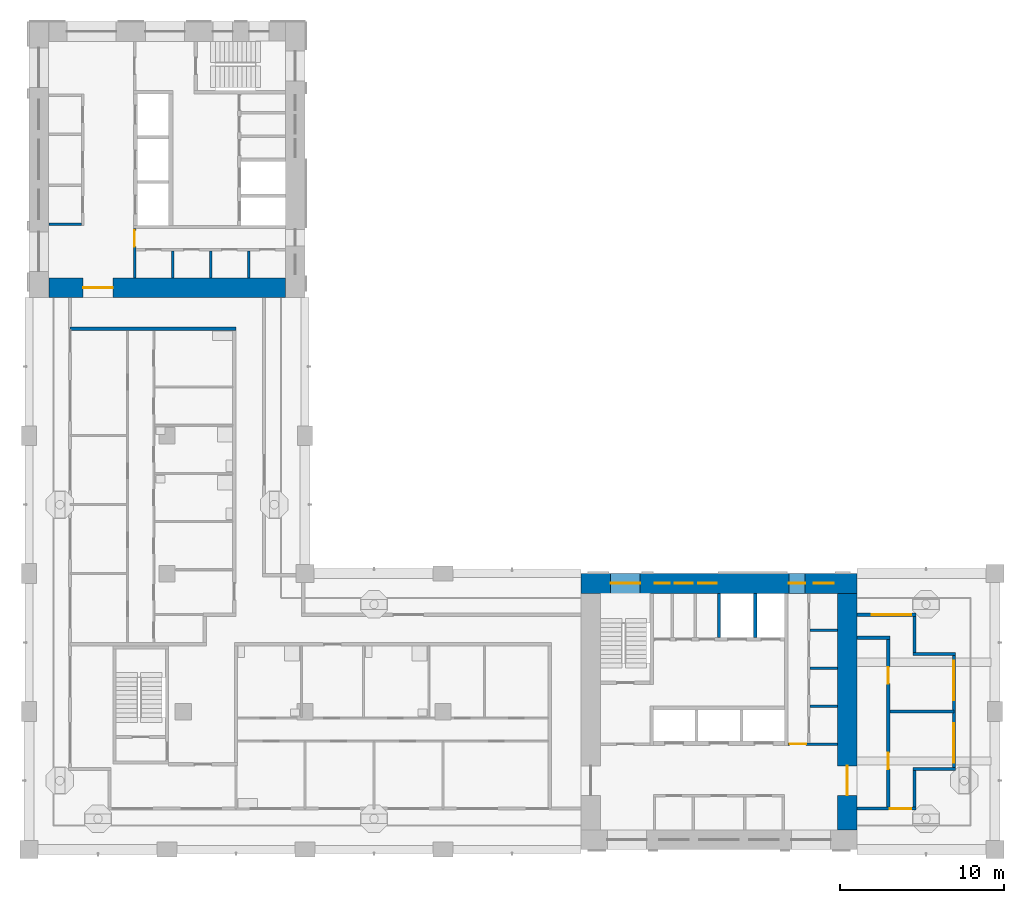
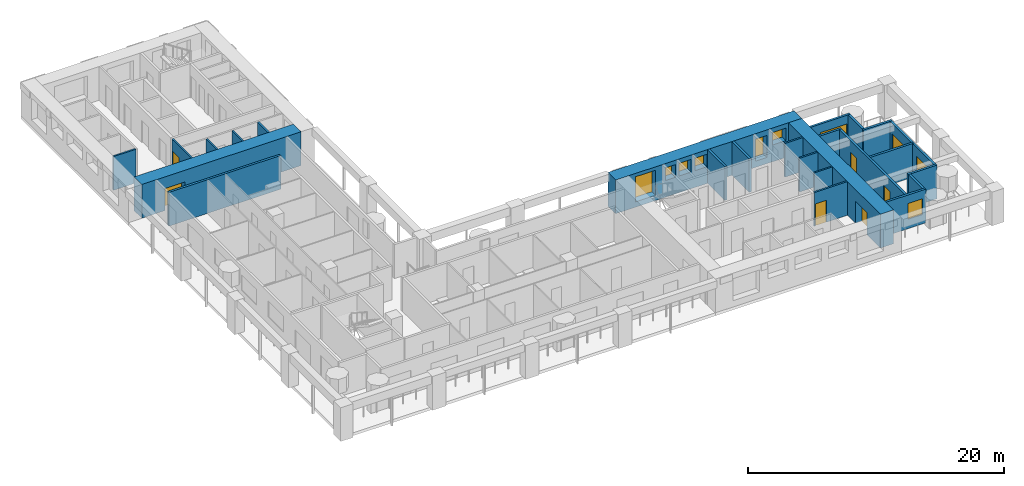
# One storey, part 5 of 13: 25 walls, 9 windows, 7 doors, 16 openings.
"""IFC4 building model written with IfcOpenShell, lengths in metres."""

from ifc_helpers import new_model, si_unit, direction, frame, frame_2d, origin, place, context, subcontext, project, spatial, rectangle, extrude, material, layer, layer_set, type_object, element, fill, save


model = new_model("IFC4")

# Units and contexts
model_context = context("Model", 3, precision=1e-05, world=origin(), true_north=direction((0.0, 1.0)))
body_context = subcontext(model_context, "Body", "Model", "MODEL_VIEW")
ifc_project = project(units=[si_unit("LENGTHUNIT", "METRE"), si_unit("AREAUNIT", "SQUARE_METRE"), si_unit("VOLUMEUNIT", "CUBIC_METRE"), si_unit("PLANEANGLEUNIT", "RADIAN"), si_unit("MASSUNIT", "GRAM", prefix="KILO")], contexts=[model_context])

# Site, building, storey
site_placement = place(None, origin())
site = spatial("IfcSite", under=ifc_project, at=site_placement, CompositionType="ELEMENT")
building_placement = place(site_placement, origin())
building = spatial("IfcBuilding", under=site, at=building_placement, Name="Vermilion Gate Residences", CompositionType="ELEMENT")
storey_placement = place(building_placement, frame((0.0, 0.0, 165.199951171875)))
storey = spatial("IfcBuildingStorey", under=building, at=storey_placement, Name="L42", CompositionType="ELEMENT", Elevation=165.199951171875)

# Wall, opening, door
ifc_material_1 = material(Name="Masonry blockwork", Category="masonry")
ifc_layer_1 = layer(ifc_material_1, 0.14990234375)
ifc_layer_set_1 = layer_set([ifc_layer_1], Name="BLOCKWORK PARTITION 150 EI 120")
wall_type_1 = type_object("IfcWallType", Name="BLOCKWORK PARTITION 150 EI 120", PredefinedType="PARTITIONING", material=ifc_layer_set_1)
wall_1_placement = place(storey_placement, frame((54.60009765625, 14.824951171875, 0.0), z_axis=(0.0, 0.0, 1.0), x_axis=(1.0, 0.0, 0.0)))
wall_1 = element("IfcWall", 1, at=wall_1_placement, inside=storey, type_object=wall_type_1, Name="Core room partition A42-ES-S", PredefinedType="PARTITIONING", context=body_context, shape_type="SweptSolid", body=[
    extrude(rectangle(XDim=3.0, YDim=0.14990234375, at=frame_2d((1.5, 0.0))), origin(), (0.0, 0.0, 1.0), 3.219970703125),
])
opening_1_placement = place(wall_1_placement, frame((0.10009765625, 0.0, 0.0)))
opening_1 = element("IfcOpeningElement", 2, at=opening_1_placement, cuts=wall_1, Name="Opening DK42016", PredefinedType="OPENING", context=body_context, shape_type="SweptSolid", body=[
    extrude(rectangle(XDim=1.0, YDim=2.10009765625, at=frame_2d((0.5, 1.050048828125))), frame((0.0, 0.0849609375, 0.0), z_axis=(0.0, -1.0, 0.0), x_axis=(1.0, 0.0, 0.0)), (0.0, 0.0, 1.0), 0.169921875),
])
ifc_material_2 = material(Name="Steel", Category="steel")
door_type_1 = type_object("IfcDoorType", Name="FIRE DOOR FD60 1000 X 2100", OperationType="SINGLE_SWING_LEFT", PredefinedType="DOOR", material=ifc_material_2)
door_1_placement = place(opening_1_placement, frame((1.0, 0.0, 0.0), z_axis=(0.0, 0.0, 1.0), x_axis=(-1.0, 0.0, 0.0)))
door_1 = element("IfcDoor", 3, at=door_1_placement, inside=storey, type_object=door_type_1, Name="Service corridor door A42", OperationType="SINGLE_SWING_LEFT", OverallHeight=2.10009765625, OverallWidth=1.0, PredefinedType="DOOR", context=body_context, shape_type="SweptSolid", body=[
    extrude(rectangle(XDim=1.0, YDim=2.10009765625, at=frame_2d((0.5, 1.050048828125))), frame((0.0, 0.02490234375, 0.0), z_axis=(0.0, -1.0, 0.0), x_axis=(1.0, 0.0, 0.0)), (0.0, 0.0, 1.0), 0.050048828125),
])
fill(opening_1, door_1)

# Walls
for number, where, z_axis, x_axis, name in (
    (4, (55.949951171875, 17.137451171875, 0.0), (0.0, 0.0, 1.0), (1.0, 0.0, 0.0), "Core room partition A42-ES-P0"),
    (5, (55.949951171875, 19.449951171875, 0.0), (0.0, 0.0, 1.0), (1.0, 0.0, 0.0), "Core room partition A42-ES-P1"),
    (6, (55.949951171875, 21.762451171875, 0.0), (0.0, 0.0, 1.0), (1.0, 0.0, 0.0), "Core room partition A42-ES-P2"),
):
    element("IfcWall", number, at=place(storey_placement, frame(where, z_axis=z_axis, x_axis=x_axis)), inside=storey, type_object=wall_type_1, Name=name, PredefinedType="PARTITIONING", context=body_context, shape_type="SweptSolid", body=[
        extrude(rectangle(XDim=1.650146484375, YDim=0.14990234375, at=frame_2d((0.8251953125, 0.0))), origin(), (0.0, 0.0, 1.0), 3.219970703125),
    ])
wall_2_placement = place(storey_placement, frame((9.60009765625, 46.47509765625, 0.0), z_axis=(0.0, 0.0, 1.0), x_axis=(1.0, 0.0, 0.0)))
element("IfcWall", 7, at=wall_2_placement, inside=storey, type_object=wall_type_1, Name="Core room partition B42-RW-E", PredefinedType="PARTITIONING", context=body_context, shape_type="SweptSolid", body=[
    extrude(rectangle(XDim=2.0, YDim=0.14990234375, at=frame_2d((1.0, 0.0))), origin(), (0.0, 0.0, 1.0), 3.219970703125),
])

# Wall, opening, door
wall_3_placement = place(storey_placement, frame((14.824951171875, 46.199951171875, 0.0), z_axis=(0.0, 0.0, 1.0), x_axis=(0.0, -1.0, 0.0)))
wall_3 = element("IfcWall", 8, at=wall_3_placement, inside=storey, type_object=wall_type_1, Name="Core room partition B42-ES-S", PredefinedType="PARTITIONING", context=body_context, shape_type="SweptSolid", body=[
    extrude(rectangle(XDim=3.0, YDim=0.14990234375, at=frame_2d((1.5, 0.0))), origin(), (0.0, 0.0, 1.0), 3.219970703125),
])
opening_2_placement = place(wall_3_placement, frame((0.10009765625, 0.0, 0.0)))
opening_2 = element("IfcOpeningElement", 9, at=opening_2_placement, cuts=wall_3, Name="Opening DK42115", PredefinedType="OPENING", context=body_context, shape_type="SweptSolid", body=[
    extrude(rectangle(XDim=1.0, YDim=2.10009765625, at=frame_2d((0.5, 1.050048828125))), frame((0.0, 0.0849609375, 0.0), z_axis=(0.0, -1.0, 0.0), x_axis=(1.0, 0.0, 0.0)), (0.0, 0.0, 1.0), 0.169921875),
])
door_2_placement = place(opening_2_placement, frame((1.0, 0.0, 0.0), z_axis=(0.0, 0.0, 1.0), x_axis=(-1.0, 0.0, 0.0)))
door_2 = element("IfcDoor", 10, at=door_2_placement, inside=storey, type_object=door_type_1, Name="Service corridor door B42", OperationType="SINGLE_SWING_LEFT", OverallHeight=2.10009765625, OverallWidth=1.0, PredefinedType="DOOR", context=body_context, shape_type="SweptSolid", body=[
    extrude(rectangle(XDim=1.0, YDim=2.10009765625, at=frame_2d((0.5, 1.050048828125))), frame((0.0, 0.02490234375, 0.0), z_axis=(0.0, -1.0, 0.0), x_axis=(1.0, 0.0, 0.0)), (0.0, 0.0, 1.0), 0.050048828125),
])
fill(opening_2, door_2)

# Walls
for number, where, z_axis, x_axis, name in (
    (11, (17.137451171875, 44.85009765625, 0.0), (0.0, 0.0, 1.0), (0.0, -1.0, 0.0), "Core room partition B42-ES-P0"),
    (12, (19.449951171875, 44.85009765625, 0.0), (0.0, 0.0, 1.0), (0.0, -1.0, 0.0), "Core room partition B42-ES-P1"),
    (13, (21.762451171875, 44.85009765625, 0.0), (0.0, 0.0, 1.0), (0.0, -1.0, 0.0), "Core room partition B42-ES-P2"),
):
    element("IfcWall", number, at=place(storey_placement, frame(where, z_axis=z_axis, x_axis=x_axis)), inside=storey, type_object=wall_type_1, Name=name, PredefinedType="PARTITIONING", context=body_context, shape_type="SweptSolid", body=[
        extrude(rectangle(XDim=1.650146484375, YDim=0.14990234375, at=frame_2d((0.8251953125, 0.0))), origin(), (0.0, 0.0, 1.0), 3.219970703125),
    ])

# Wall, opening, window
ifc_material_3 = material(Name="Insulated steel stud wall with terracotta rainscreen", Category="masonry")
ifc_layer_2 = layer(ifc_material_3, 0.199951171875)
ifc_layer_set_2 = layer_set([ifc_layer_2], Name="EXTERNAL WALL 200 TERRACOTTA RAINSCREEN")
wall_type_2 = type_object("IfcWallType", Name="EXTERNAL WALL 200 TERRACOTTA RAINSCREEN", PredefinedType="SOLIDWALL", material=ifc_layer_set_2)
wall_4_placement = place(storey_placement, frame((58.800048828125, 10.89990234375, 0.0), z_axis=(0.0, 0.0, 1.0), x_axis=(1.0, 0.0, 0.0)))
wall_4 = element("IfcWall", 14, at=wall_4_placement, inside=storey, type_object=wall_type_2, Name="External wall", PredefinedType="SOLIDWALL", context=body_context, shape_type="SweptSolid", body=[
    extrude(rectangle(XDim=3.599853515625, YDim=0.199951171875, at=frame_2d((1.7998046875, 0.0))), origin(), (0.0, 0.0, 1.0), 3.219970703125),
])
opening_3_placement = place(wall_4_placement, frame((2.0, 0.0, 0.89990234375)))
opening_3 = element("IfcOpeningElement", 15, at=opening_3_placement, cuts=wall_4, Name="Opening WE42015", PredefinedType="OPENING", context=body_context, shape_type="SweptSolid", body=[
    extrude(rectangle(XDim=1.300048828125, YDim=1.5, at=frame_2d((0.64990234375, 0.75))), frame((0.0, 0.10986328125, 0.0), z_axis=(0.0, -1.0, 0.0), x_axis=(1.0, 0.0, 0.0)), (0.0, 0.0, 1.0), 0.219970703125),
])
ifc_material_4 = material(Name="Aluminium and clear glass", Category="aluminium")
window_type_1 = type_object("IfcWindowType", Name="WINDOW 1300 X 1500", PartitioningType="SINGLE_PANEL", PredefinedType="WINDOW", material=ifc_material_4)
window_1_placement = place(opening_3_placement, origin())
window_1 = element("IfcWindow", 16, at=window_1_placement, inside=storey, type_object=window_type_1, Name="Window", OverallHeight=1.5, OverallWidth=1.300048828125, PartitioningType="SINGLE_PANEL", PredefinedType="WINDOW", context=body_context, shape_type="SweptSolid", body=[
    extrude(rectangle(XDim=1.300048828125, YDim=1.5, at=frame_2d((0.64990234375, 0.75))), frame((0.0, 0.030029296875, 0.0), z_axis=(0.0, -1.0, 0.0), x_axis=(1.0, 0.0, 0.0)), (0.0, 0.0, 1.0), 0.06005859375),
])
fill(opening_3, window_1)

# Walls
wall_5_placement = place(storey_placement, frame((62.300048828125, 11.0, 0.0), z_axis=(0.0, 0.0, 1.0), x_axis=(0.0, 1.0, 0.0)))
element("IfcWall", 17, at=wall_5_placement, inside=storey, type_object=wall_type_2, Name="External wall", PredefinedType="SOLIDWALL", context=body_context, shape_type="SweptSolid", body=[
    extrude(rectangle(XDim=2.199951171875, YDim=0.199951171875, at=frame_2d((1.10009765625, 0.0))), origin(), (0.0, 0.0, 1.0), 3.219970703125),
])
wall_6_placement = place(storey_placement, frame((62.199951171875, 13.300048828125, 0.0), z_axis=(0.0, 0.0, 1.0), x_axis=(1.0, 0.0, 0.0)))
element("IfcWall", 18, at=wall_6_placement, inside=storey, type_object=wall_type_2, Name="External wall", PredefinedType="SOLIDWALL", context=body_context, shape_type="SweptSolid", body=[
    extrude(rectangle(XDim=2.60009765625, YDim=0.199951171875, at=frame_2d((1.300048828125, 0.0))), origin(), (0.0, 0.0, 1.0), 3.219970703125),
])

# Wall, openings, door, window
wall_7_placement = place(storey_placement, frame((64.699951171875, 13.39990234375, 0.0), z_axis=(0.0, 0.0, 1.0), x_axis=(0.0, 1.0, 0.0)))
wall_7 = element("IfcWall", 19, at=wall_7_placement, inside=storey, type_object=wall_type_2, Name="External wall", PredefinedType="SOLIDWALL", context=body_context, shape_type="SweptSolid", body=[
    extrude(rectangle(XDim=6.800048828125, YDim=0.199951171875, at=frame_2d((3.39990234375, 0.0))), origin(), (0.0, 0.0, 1.0), 3.219970703125),
])
opening_4_placement = place(wall_7_placement, frame((0.300048828125, 0.0, 0.89990234375)))
opening_4 = element("IfcOpeningElement", 20, at=opening_4_placement, cuts=wall_7, Name="Opening WE42016", PredefinedType="OPENING", context=body_context, shape_type="SweptSolid", body=[
    extrude(rectangle(XDim=2.39990234375, YDim=1.5, at=frame_2d((1.199951171875, 0.75))), frame((0.0, 0.10986328125, 0.0), z_axis=(0.0, -1.0, 0.0), x_axis=(1.0, 0.0, 0.0)), (0.0, 0.0, 1.0), 0.219970703125),
])
opening_5_placement = place(wall_7_placement, frame((4.10009765625, 0.0, 0.0)))
opening_5 = element("IfcOpeningElement", 21, at=opening_5_placement, cuts=wall_7, Name="Opening DE42019", PredefinedType="OPENING", context=body_context, shape_type="SweptSolid", body=[
    extrude(rectangle(XDim=2.39990234375, YDim=2.199951171875, at=frame_2d((1.199951171875, 1.10009765625))), frame((0.0, 0.10986328125, 0.0), z_axis=(0.0, -1.0, 0.0), x_axis=(1.0, 0.0, 0.0)), (0.0, 0.0, 1.0), 0.219970703125),
])
ifc_material_5 = material(Name="Aluminium and clear glass", Category="aluminium")
door_type_2 = type_object("IfcDoorType", Name="SLIDING GLAZED DOOR 2400 X 2200", OperationType="DOUBLE_DOOR_SLIDING", PredefinedType="DOOR", material=ifc_material_5)
door_3_placement = place(opening_5_placement, origin())
door_3 = element("IfcDoor", 22, at=door_3_placement, inside=storey, type_object=door_type_2, Name="Loggia sliding door", OperationType="DOUBLE_DOOR_SLIDING", OverallHeight=2.199951171875, OverallWidth=2.39990234375, PredefinedType="DOOR", context=body_context, shape_type="SweptSolid", body=[
    extrude(rectangle(XDim=2.39990234375, YDim=2.199951171875, at=frame_2d((1.199951171875, 1.10009765625))), frame((0.0, 0.02490234375, 0.0), z_axis=(0.0, -1.0, 0.0), x_axis=(1.0, 0.0, 0.0)), (0.0, 0.0, 1.0), 0.050048828125),
])
fill(opening_5, door_3)
ifc_material_6 = material(Name="Aluminium and clear glass", Category="aluminium")
window_type_2 = type_object("IfcWindowType", Name="WINDOW 2400 X 1500", PartitioningType="SINGLE_PANEL", PredefinedType="WINDOW", material=ifc_material_6)
window_2_placement = place(opening_4_placement, origin())
window_2 = element("IfcWindow", 23, at=window_2_placement, inside=storey, type_object=window_type_2, Name="Window", OverallHeight=1.5, OverallWidth=2.39990234375, PartitioningType="SINGLE_PANEL", PredefinedType="WINDOW", context=body_context, shape_type="SweptSolid", body=[
    extrude(rectangle(XDim=2.39990234375, YDim=1.5, at=frame_2d((1.199951171875, 0.75))), frame((0.0, 0.030029296875, 0.0), z_axis=(0.0, -1.0, 0.0), x_axis=(1.0, 0.0, 0.0)), (0.0, 0.0, 1.0), 0.06005859375),
])
fill(opening_4, window_2)

# Walls
wall_8_placement = place(storey_placement, frame((64.800048828125, 20.300048828125, 0.0), z_axis=(0.0, 0.0, 1.0), x_axis=(-1.0, 0.0, 0.0)))
element("IfcWall", 24, at=wall_8_placement, inside=storey, type_object=wall_type_2, Name="External wall", PredefinedType="SOLIDWALL", context=body_context, shape_type="SweptSolid", body=[
    extrude(rectangle(XDim=2.60009765625, YDim=0.199951171875, at=frame_2d((1.300048828125, 0.0))), origin(), (0.0, 0.0, 1.0), 3.219970703125),
])
wall_9_placement = place(storey_placement, frame((62.300048828125, 20.39990234375, 0.0), z_axis=(0.0, 0.0, 1.0), x_axis=(0.0, 1.0, 0.0)))
element("IfcWall", 25, at=wall_9_placement, inside=storey, type_object=wall_type_2, Name="External wall", PredefinedType="SOLIDWALL", context=body_context, shape_type="SweptSolid", body=[
    extrude(rectangle(XDim=2.2001953125, YDim=0.199951171875, at=frame_2d((1.10009765625, 0.0))), origin(), (0.0, 0.0, 1.0), 3.219970703125),
])

# Wall, opening, window
wall_10_placement = place(storey_placement, frame((62.39990234375, 22.699951171875, 0.0), z_axis=(0.0, 0.0, 1.0), x_axis=(-1.0, 0.0, 0.0)))
wall_10 = element("IfcWall", 26, at=wall_10_placement, inside=storey, type_object=wall_type_2, Name="External wall", PredefinedType="SOLIDWALL", context=body_context, shape_type="SweptSolid", body=[
    extrude(rectangle(XDim=3.599853515625, YDim=0.199951171875, at=frame_2d((1.7998046875, 0.0))), origin(), (0.0, 0.0, 1.0), 3.219970703125),
])
opening_6_placement = place(wall_10_placement, frame((0.300048828125, 0.0, 0.89990234375)))
opening_6 = element("IfcOpeningElement", 27, at=opening_6_placement, cuts=wall_10, Name="Opening WE42018", PredefinedType="OPENING", context=body_context, shape_type="SweptSolid", body=[
    extrude(rectangle(XDim=2.39990234375, YDim=1.5, at=frame_2d((1.199951171875, 0.75))), frame((0.0, 0.10986328125, 0.0), z_axis=(0.0, -1.0, 0.0), x_axis=(1.0, 0.0, 0.0)), (0.0, 0.0, 1.0), 0.219970703125),
])
window_3_placement = place(opening_6_placement, origin())
window_3 = element("IfcWindow", 28, at=window_3_placement, inside=storey, type_object=window_type_2, Name="Window", OverallHeight=1.5, OverallWidth=2.39990234375, PartitioningType="SINGLE_PANEL", PredefinedType="WINDOW", context=body_context, shape_type="SweptSolid", body=[
    extrude(rectangle(XDim=2.39990234375, YDim=1.5, at=frame_2d((1.199951171875, 0.75))), frame((0.0, 0.030029296875, 0.0), z_axis=(0.0, -1.0, 0.0), x_axis=(1.0, 0.0, 0.0)), (0.0, 0.0, 1.0), 0.06005859375),
])
fill(opening_6, window_3)

# Walls
ifc_material_7 = material(Name="Fire-rated plasterboard on steel studs", Category="steel")
ifc_layer_3 = layer(ifc_material_7, 0.199951171875)
ifc_layer_set_3 = layer_set([ifc_layer_3], Name="PARTY WALL 200 EI 120")
wall_type_3 = type_object("IfcWallType", Name="PARTY WALL 200 EI 120", PredefinedType="PARTITIONING", material=ifc_layer_set_3)
wall_11_placement = place(storey_placement, frame((60.800048828125, 16.800048828125, 0.0), z_axis=(0.0, 0.0, 1.0), x_axis=(1.0, 0.0, 0.0)))
element("IfcWall", 29, at=wall_11_placement, inside=storey, type_object=wall_type_3, Name="Party and corridor wall", PredefinedType="PARTITIONING", context=body_context, shape_type="SweptSolid", body=[
    extrude(rectangle(XDim=3.89990234375, YDim=0.199951171875, at=frame_2d((1.949951171875, 0.0))), origin(), (0.0, 0.0, 1.0), 3.219970703125),
])
wall_12_placement = place(storey_placement, frame((58.800048828125, 21.300048828125, 0.0), z_axis=(0.0, 0.0, 1.0), x_axis=(1.0, 0.0, 0.0)))
element("IfcWall", 30, at=wall_12_placement, inside=storey, type_object=wall_type_3, Name="Party and corridor wall", PredefinedType="PARTITIONING", context=body_context, shape_type="SweptSolid", body=[
    extrude(rectangle(XDim=2.0, YDim=0.199951171875, at=frame_2d((1.0, 0.0))), origin(), (0.0, 0.0, 1.0), 3.219970703125),
])
wall_13_placement = place(storey_placement, frame((10.89990234375, 40.10009765625, 0.0), z_axis=(0.0, 0.0, 1.0), x_axis=(1.0, 0.0, 0.0)))
element("IfcWall", 31, at=wall_13_placement, inside=storey, type_object=wall_type_3, Name="Party and corridor wall", PredefinedType="PARTITIONING", context=body_context, shape_type="SweptSolid", body=[
    extrude(rectangle(XDim=10.10009765625, YDim=0.199951171875, at=frame_2d((5.050048828125, 0.0))), origin(), (0.0, 0.0, 1.0), 3.219970703125),
])

# Wall, openings, doors
wall_14_placement = place(storey_placement, frame((60.699951171875, 10.89990234375, 0.0), z_axis=(0.0, 0.0, 1.0), x_axis=(0.0, 1.0, 0.0)))
wall_14 = element("IfcWall", 32, at=wall_14_placement, inside=storey, type_object=wall_type_3, Name="Party and corridor wall", PredefinedType="PARTITIONING", context=body_context, shape_type="SweptSolid", body=[
    extrude(rectangle(XDim=10.300048828125, YDim=0.199951171875, at=frame_2d((5.14990234375, 0.0))), origin(), (0.0, 0.0, 1.0), 3.219970703125),
])
opening_7_placement = place(wall_14_placement, frame((2.39990234375, 0.0, 0.0)))
opening_7 = element("IfcOpeningElement", 33, at=opening_7_placement, cuts=wall_14, Name="Opening DA40024", PredefinedType="OPENING", context=body_context, shape_type="SweptSolid", body=[
    extrude(rectangle(XDim=1.0, YDim=2.10009765625, at=frame_2d((0.5, 1.050048828125))), frame((0.0, 0.10986328125, 0.0), z_axis=(0.0, -1.0, 0.0), x_axis=(1.0, 0.0, 0.0)), (0.0, 0.0, 1.0), 0.219970703125),
])
opening_8_placement = place(wall_14_placement, frame((7.60009765625, 0.0, 0.0)))
opening_8 = element("IfcOpeningElement", 34, at=opening_8_placement, cuts=wall_14, Name="Opening DA40025", PredefinedType="OPENING", context=body_context, shape_type="SweptSolid", body=[
    extrude(rectangle(XDim=1.0, YDim=2.10009765625, at=frame_2d((0.5, 1.050048828125))), frame((0.0, 0.10986328125, 0.0), z_axis=(0.0, -1.0, 0.0), x_axis=(1.0, 0.0, 0.0)), (0.0, 0.0, 1.0), 0.219970703125),
])
ifc_material_8 = material(Name="Steel", Category="steel")
door_type_3 = type_object("IfcDoorType", Name="ENTRANCE DOOR 1000 X 2100 FD30", OperationType="SINGLE_SWING_LEFT", PredefinedType="DOOR", material=ifc_material_8)
door_4_placement = place(opening_7_placement, frame((1.0, 0.0, 0.0), z_axis=(0.0, 0.0, 1.0), x_axis=(-1.0, 0.0, 0.0)))
door_4 = element("IfcDoor", 35, at=door_4_placement, inside=storey, type_object=door_type_3, Name="Entrance door", OperationType="SINGLE_SWING_RIGHT", OverallHeight=2.10009765625, OverallWidth=1.0, PredefinedType="DOOR", context=body_context, shape_type="SweptSolid", body=[
    extrude(rectangle(XDim=1.0, YDim=2.10009765625, at=frame_2d((0.5, 1.050048828125))), frame((0.0, 0.02490234375, 0.0), z_axis=(0.0, -1.0, 0.0), x_axis=(1.0, 0.0, 0.0)), (0.0, 0.0, 1.0), 0.050048828125),
])
fill(opening_7, door_4)
door_5_placement = place(opening_8_placement, frame((1.0, 0.0, 0.0), z_axis=(0.0, 0.0, 1.0), x_axis=(-1.0, 0.0, 0.0)))
door_5 = element("IfcDoor", 36, at=door_5_placement, inside=storey, type_object=door_type_3, Name="Entrance door", OperationType="SINGLE_SWING_RIGHT", OverallHeight=2.10009765625, OverallWidth=1.0, PredefinedType="DOOR", context=body_context, shape_type="SweptSolid", body=[
    extrude(rectangle(XDim=1.0, YDim=2.10009765625, at=frame_2d((0.5, 1.050048828125))), frame((0.0, 0.02490234375, 0.0), z_axis=(0.0, -1.0, 0.0), x_axis=(1.0, 0.0, 0.0)), (0.0, 0.0, 1.0), 0.050048828125),
])
fill(opening_8, door_5)

# Walls
ifc_material_9 = material(Name="Concrete C60", Category="concrete")
ifc_layer_4 = layer(ifc_material_9, 0.199951171875)
ifc_layer_set_4 = layer_set([ifc_layer_4], Name="RC CORE INTERNAL WALL 200 C60")
wall_type_4 = type_object("IfcWallType", Name="RC CORE INTERNAL WALL 200 C60", PredefinedType="SHEAR", material=ifc_layer_set_4)
for number, where, z_axis, x_axis, name in (
    (37, (50.39990234375, 21.300048828125, 0.0), (0.0, 0.0, 1.0), (0.0, 1.0, 0.0), "Core internal wall A42-FF-D0"),
    (38, (52.60009765625, 21.300048828125, 0.0), (0.0, 0.0, 1.0), (0.0, 1.0, 0.0), "Core internal wall A42-FF-D1"),
):
    element("IfcWall", number, at=place(storey_placement, frame(where, z_axis=z_axis, x_axis=x_axis)), inside=storey, type_object=wall_type_4, Name=name, PredefinedType="SHEAR", context=body_context, shape_type="SweptSolid", body=[
        extrude(rectangle(XDim=2.699951171875, YDim=0.199951171875, at=frame_2d((1.35009765625, 0.0))), origin(), (0.0, 0.0, 1.0), 3.219970703125),
    ])

# Wall, opening, door
ifc_material_10 = material(Name="Concrete C60", Category="concrete")
ifc_layer_5 = layer(ifc_material_10, 1.199951171875)
ifc_layer_set_5 = layer_set([ifc_layer_5], Name="RC CORE WALL 1200 C60")
wall_type_5 = type_object("IfcWallType", Name="RC CORE WALL 1200 C60", PredefinedType="SHEAR", material=ifc_layer_set_5)
wall_15_placement = place(storey_placement, frame((58.199951171875, 9.60009765625, 0.0), z_axis=(0.0, 0.0, 1.0), x_axis=(0.0, 1.0, 0.0)))
wall_15 = element("IfcWall", 39, at=wall_15_placement, inside=storey, type_object=wall_type_5, Name="Core wall A42-OUT-BK", PredefinedType="SHEAR", context=body_context, shape_type="SweptSolid", body=[
    extrude(rectangle(XDim=14.39990234375, YDim=1.199951171875, at=frame_2d((7.199951171875, 0.0))), origin(), (0.0, 0.0, 1.0), 3.219970703125),
])
opening_9_placement = place(wall_15_placement, frame((2.10009765625, 0.0, 0.0)))
opening_9 = element("IfcOpeningElement", 40, at=opening_9_placement, cuts=wall_15, Name="Opening DK42002", PredefinedType="OPENING", context=body_context, shape_type="SweptSolid", body=[
    extrude(rectangle(XDim=1.800048828125, YDim=2.10009765625, at=frame_2d((0.89990234375, 1.050048828125))), frame((0.0, 0.60986328125, 0.0), z_axis=(0.0, -1.0, 0.0), x_axis=(1.0, 0.0, 0.0)), (0.0, 0.0, 1.0), 1.219970703125),
])
ifc_material_11 = material(Name="Steel", Category="steel")
door_type_4 = type_object("IfcDoorType", Name="CORE LOBBY DOOR FD60 1800 X 2100", OperationType="DOUBLE_DOOR_SINGLE_SWING", PredefinedType="DOOR", material=ifc_material_11)
door_6_placement = place(opening_9_placement, origin())
door_6 = element("IfcDoor", 41, at=door_6_placement, inside=storey, type_object=door_type_4, Name="Core lobby door A42", OperationType="DOUBLE_DOOR_SINGLE_SWING", OverallHeight=2.10009765625, OverallWidth=1.800048828125, PredefinedType="DOOR", context=body_context, shape_type="SweptSolid", body=[
    extrude(rectangle(XDim=1.800048828125, YDim=2.10009765625, at=frame_2d((0.89990234375, 1.050048828125))), frame((0.0, 0.02490234375, 0.0), z_axis=(0.0, -1.0, 0.0), x_axis=(1.0, 0.0, 0.0)), (0.0, 0.0, 1.0), 0.050048828125),
])
fill(opening_9, door_6)

wall_16_placement = place(storey_placement, frame((9.60009765625, 42.60009765625, 0.0), z_axis=(0.0, 0.0, 1.0), x_axis=(1.0, 0.0, 0.0)))
wall_16 = element("IfcWall", 42, at=wall_16_placement, inside=storey, type_object=wall_type_5, Name="Core wall B42-OUT-BK", PredefinedType="SHEAR", context=body_context, shape_type="SweptSolid", body=[
    extrude(rectangle(XDim=14.39990234375, YDim=1.199951171875, at=frame_2d((7.199951171875, 0.0))), origin(), (0.0, 0.0, 1.0), 3.219970703125),
])
opening_10_placement = place(wall_16_placement, frame((2.10009765625, 0.0, 0.0)))
opening_10 = element("IfcOpeningElement", 43, at=opening_10_placement, cuts=wall_16, Name="Opening DK42101", PredefinedType="OPENING", context=body_context, shape_type="SweptSolid", body=[
    extrude(rectangle(XDim=1.800048828125, YDim=2.10009765625, at=frame_2d((0.89990234375, 1.050048828125))), frame((0.0, 0.60986328125, 0.0), z_axis=(0.0, -1.0, 0.0), x_axis=(1.0, 0.0, 0.0)), (0.0, 0.0, 1.0), 1.219970703125),
])
door_7_placement = place(opening_10_placement, frame((1.800048828125, 0.0, 0.0), z_axis=(0.0, 0.0, 1.0), x_axis=(-1.0, 0.0, 0.0)))
door_7 = element("IfcDoor", 44, at=door_7_placement, inside=storey, type_object=door_type_4, Name="Core lobby door B42", OperationType="DOUBLE_DOOR_SINGLE_SWING", OverallHeight=2.10009765625, OverallWidth=1.800048828125, PredefinedType="DOOR", context=body_context, shape_type="SweptSolid", body=[
    extrude(rectangle(XDim=1.800048828125, YDim=2.10009765625, at=frame_2d((0.89990234375, 1.050048828125))), frame((0.0, 0.02490234375, 0.0), z_axis=(0.0, -1.0, 0.0), x_axis=(1.0, 0.0, 0.0)), (0.0, 0.0, 1.0), 0.050048828125),
])
fill(opening_10, door_7)

# Wall, openings, windows
ifc_material_12 = material(Name="Concrete C60 red-oxide pigmented", Category="concrete")
ifc_layer_6 = layer(ifc_material_12, 1.199951171875)
ifc_layer_set_6 = layer_set([ifc_layer_6], Name="RC CORE WALL 1200 C60 RED OXIDE")
wall_type_6 = type_object("IfcWallType", Name="RC CORE WALL 1200 C60 RED OXIDE", PredefinedType="SHEAR", material=ifc_layer_set_6)
wall_17_placement = place(storey_placement, frame((42.0, 24.60009765625, 0.0), z_axis=(0.0, 0.0, 1.0), x_axis=(1.0, 0.0, 0.0)))
wall_17 = element("IfcWall", 45, at=wall_17_placement, inside=storey, type_object=wall_type_6, Name="Core wall A42-OUT-B1", PredefinedType="SHEAR", context=body_context, shape_type="SweptSolid", body=[
    extrude(rectangle(XDim=16.800048828125, YDim=1.199951171875, at=frame_2d((8.39990234375, 0.0))), origin(), (0.0, 0.0, 1.0), 3.219970703125),
])
opening_11_placement = place(wall_17_placement, frame((1.800048828125, 0.0, 0.5)))
opening_11 = element("IfcOpeningElement", 46, at=opening_11_placement, cuts=wall_17, Name="Opening WKA4206", PredefinedType="OPENING", context=body_context, shape_type="SweptSolid", body=[
    extrude(rectangle(XDim=1.800048828125, YDim=2.39990234375, at=frame_2d((0.89990234375, 1.199951171875))), frame((0.0, 0.60986328125, 0.0), z_axis=(0.0, -1.0, 0.0), x_axis=(1.0, 0.0, 0.0)), (0.0, 0.0, 1.0), 1.219970703125),
])
opening_12_placement = place(wall_17_placement, frame((4.489990234375, 0.0, 1.60009765625)))
opening_12 = element("IfcOpeningElement", 47, at=opening_12_placement, cuts=wall_17, Name="Opening WKA4207", PredefinedType="OPENING", context=body_context, shape_type="SweptSolid", body=[
    extrude(rectangle(XDim=0.89990234375, YDim=1.199951171875, at=frame_2d((0.449951171875, 0.60009765625))), frame((0.0, 0.60986328125, 0.0), z_axis=(0.0, -1.0, 0.0), x_axis=(1.0, 0.0, 0.0)), (0.0, 0.0, 1.0), 1.219970703125),
])
opening_13_placement = place(wall_17_placement, frame((5.7099609375, 0.0, 1.60009765625)))
opening_13 = element("IfcOpeningElement", 48, at=opening_13_placement, cuts=wall_17, Name="Opening WKA4208", PredefinedType="OPENING", context=body_context, shape_type="SweptSolid", body=[
    extrude(rectangle(XDim=1.10009765625, YDim=1.199951171875, at=frame_2d((0.550048828125, 0.60009765625))), frame((0.0, 0.60986328125, 0.0), z_axis=(0.0, -1.0, 0.0), x_axis=(1.0, 0.0, 0.0)), (0.0, 0.0, 1.0), 1.219970703125),
])
opening_14_placement = place(wall_17_placement, frame((7.14990234375, 0.0, 1.60009765625)))
opening_14 = element("IfcOpeningElement", 49, at=opening_14_placement, cuts=wall_17, Name="Opening WKA4209", PredefinedType="OPENING", context=body_context, shape_type="SweptSolid", body=[
    extrude(rectangle(XDim=1.10009765625, YDim=1.199951171875, at=frame_2d((0.550048828125, 0.60009765625))), frame((0.0, 0.60986328125, 0.0), z_axis=(0.0, -1.0, 0.0), x_axis=(1.0, 0.0, 0.0)), (0.0, 0.0, 1.0), 1.219970703125),
])
opening_15_placement = place(wall_17_placement, frame((12.64990234375, 0.0, 0.60009765625)))
opening_15 = element("IfcOpeningElement", 50, at=opening_15_placement, cuts=wall_17, Name="Opening WKA4210", PredefinedType="OPENING", context=body_context, shape_type="SweptSolid", body=[
    extrude(rectangle(XDim=1.0, YDim=2.10009765625, at=frame_2d((0.5, 1.050048828125))), frame((0.0, 0.60986328125, 0.0), z_axis=(0.0, -1.0, 0.0), x_axis=(1.0, 0.0, 0.0)), (0.0, 0.0, 1.0), 1.219970703125),
])
opening_16_placement = place(wall_17_placement, frame((14.175048828125, 0.0, 1.60009765625)))
opening_16 = element("IfcOpeningElement", 51, at=opening_16_placement, cuts=wall_17, Name="Opening WKA4211", PredefinedType="OPENING", context=body_context, shape_type="SweptSolid", body=[
    extrude(rectangle(XDim=1.199951171875, YDim=1.199951171875, at=frame_2d((0.60009765625, 0.60009765625))), frame((0.0, 0.60986328125, 0.0), z_axis=(0.0, -1.0, 0.0), x_axis=(1.0, 0.0, 0.0)), (0.0, 0.0, 1.0), 1.219970703125),
])
ifc_material_13 = material(Name="Aluminium and clear glass", Category="aluminium")
window_type_3 = type_object("IfcWindowType", Name="CORE CORRIDOR WINDOW 1000 X 2100", PartitioningType="SINGLE_PANEL", PredefinedType="WINDOW", material=ifc_material_13)
window_4_placement = place(opening_15_placement, origin())
window_4 = element("IfcWindow", 52, at=window_4_placement, inside=storey, type_object=window_type_3, Name="Core corridor window", OverallHeight=2.10009765625, OverallWidth=1.0, PartitioningType="SINGLE_PANEL", PredefinedType="WINDOW", context=body_context, shape_type="SweptSolid", body=[
    extrude(rectangle(XDim=1.0, YDim=2.10009765625, at=frame_2d((0.5, 1.050048828125))), frame((0.0, 0.030029296875, 0.0), z_axis=(0.0, -1.0, 0.0), x_axis=(1.0, 0.0, 0.0)), (0.0, 0.0, 1.0), 0.06005859375),
])
fill(opening_15, window_4)
ifc_material_14 = material(Name="Aluminium frame with louvre blades", Category="aluminium")
window_type_4 = type_object("IfcWindowType", Name="CORE LOUVRE 1100 X 1200", PartitioningType="SINGLE_PANEL", PredefinedType="WINDOW", material=ifc_material_14)
window_5_placement = place(opening_13_placement, origin())
window_5 = element("IfcWindow", 53, at=window_5_placement, inside=storey, type_object=window_type_4, Name="Core louvre", OverallHeight=1.199951171875, OverallWidth=1.10009765625, PartitioningType="SINGLE_PANEL", PredefinedType="WINDOW", context=body_context, shape_type="SweptSolid", body=[
    extrude(rectangle(XDim=1.10009765625, YDim=1.199951171875, at=frame_2d((0.550048828125, 0.60009765625))), frame((0.0, 0.030029296875, 0.0), z_axis=(0.0, -1.0, 0.0), x_axis=(1.0, 0.0, 0.0)), (0.0, 0.0, 1.0), 0.06005859375),
])
fill(opening_13, window_5)
window_6_placement = place(opening_14_placement, origin())
window_6 = element("IfcWindow", 54, at=window_6_placement, inside=storey, type_object=window_type_4, Name="Core louvre", OverallHeight=1.199951171875, OverallWidth=1.10009765625, PartitioningType="SINGLE_PANEL", PredefinedType="WINDOW", context=body_context, shape_type="SweptSolid", body=[
    extrude(rectangle(XDim=1.10009765625, YDim=1.199951171875, at=frame_2d((0.550048828125, 0.60009765625))), frame((0.0, 0.030029296875, 0.0), z_axis=(0.0, -1.0, 0.0), x_axis=(1.0, 0.0, 0.0)), (0.0, 0.0, 1.0), 0.06005859375),
])
fill(opening_14, window_6)
ifc_material_15 = material(Name="Aluminium frame with louvre blades", Category="aluminium")
window_type_5 = type_object("IfcWindowType", Name="CORE LOUVRE 1200 X 1200", PartitioningType="SINGLE_PANEL", PredefinedType="WINDOW", material=ifc_material_15)
window_7_placement = place(opening_16_placement, origin())
window_7 = element("IfcWindow", 55, at=window_7_placement, inside=storey, type_object=window_type_5, Name="Core louvre", OverallHeight=1.199951171875, OverallWidth=1.199951171875, PartitioningType="SINGLE_PANEL", PredefinedType="WINDOW", context=body_context, shape_type="SweptSolid", body=[
    extrude(rectangle(XDim=1.199951171875, YDim=1.199951171875, at=frame_2d((0.60009765625, 0.60009765625))), frame((0.0, 0.030029296875, 0.0), z_axis=(0.0, -1.0, 0.0), x_axis=(1.0, 0.0, 0.0)), (0.0, 0.0, 1.0), 0.06005859375),
])
fill(opening_16, window_7)
ifc_material_16 = material(Name="Aluminium frame with louvre blades", Category="aluminium")
window_type_6 = type_object("IfcWindowType", Name="CORE LOUVRE 900 X 1200", PartitioningType="SINGLE_PANEL", PredefinedType="WINDOW", material=ifc_material_16)
window_8_placement = place(opening_12_placement, origin())
window_8 = element("IfcWindow", 56, at=window_8_placement, inside=storey, type_object=window_type_6, Name="Core louvre", OverallHeight=1.199951171875, OverallWidth=0.89990234375, PartitioningType="SINGLE_PANEL", PredefinedType="WINDOW", context=body_context, shape_type="SweptSolid", body=[
    extrude(rectangle(XDim=0.89990234375, YDim=1.199951171875, at=frame_2d((0.449951171875, 0.60009765625))), frame((0.0, 0.030029296875, 0.0), z_axis=(0.0, -1.0, 0.0), x_axis=(1.0, 0.0, 0.0)), (0.0, 0.0, 1.0), 0.06005859375),
])
fill(opening_12, window_8)
ifc_material_17 = material(Name="Aluminium and clear glass", Category="aluminium")
window_type_7 = type_object("IfcWindowType", Name="CORE STAIR WINDOW 1800 X 2400", PartitioningType="SINGLE_PANEL", PredefinedType="WINDOW", material=ifc_material_17)
window_9_placement = place(opening_11_placement, origin())
window_9 = element("IfcWindow", 57, at=window_9_placement, inside=storey, type_object=window_type_7, Name="Core stair window", OverallHeight=2.39990234375, OverallWidth=1.800048828125, PartitioningType="SINGLE_PANEL", PredefinedType="WINDOW", context=body_context, shape_type="SweptSolid", body=[
    extrude(rectangle(XDim=1.800048828125, YDim=2.39990234375, at=frame_2d((0.89990234375, 1.199951171875))), frame((0.0, 0.030029296875, 0.0), z_axis=(0.0, -1.0, 0.0), x_axis=(1.0, 0.0, 0.0)), (0.0, 0.0, 1.0), 0.06005859375),
])
fill(opening_11, window_9)

save(model, "model.ifc")
